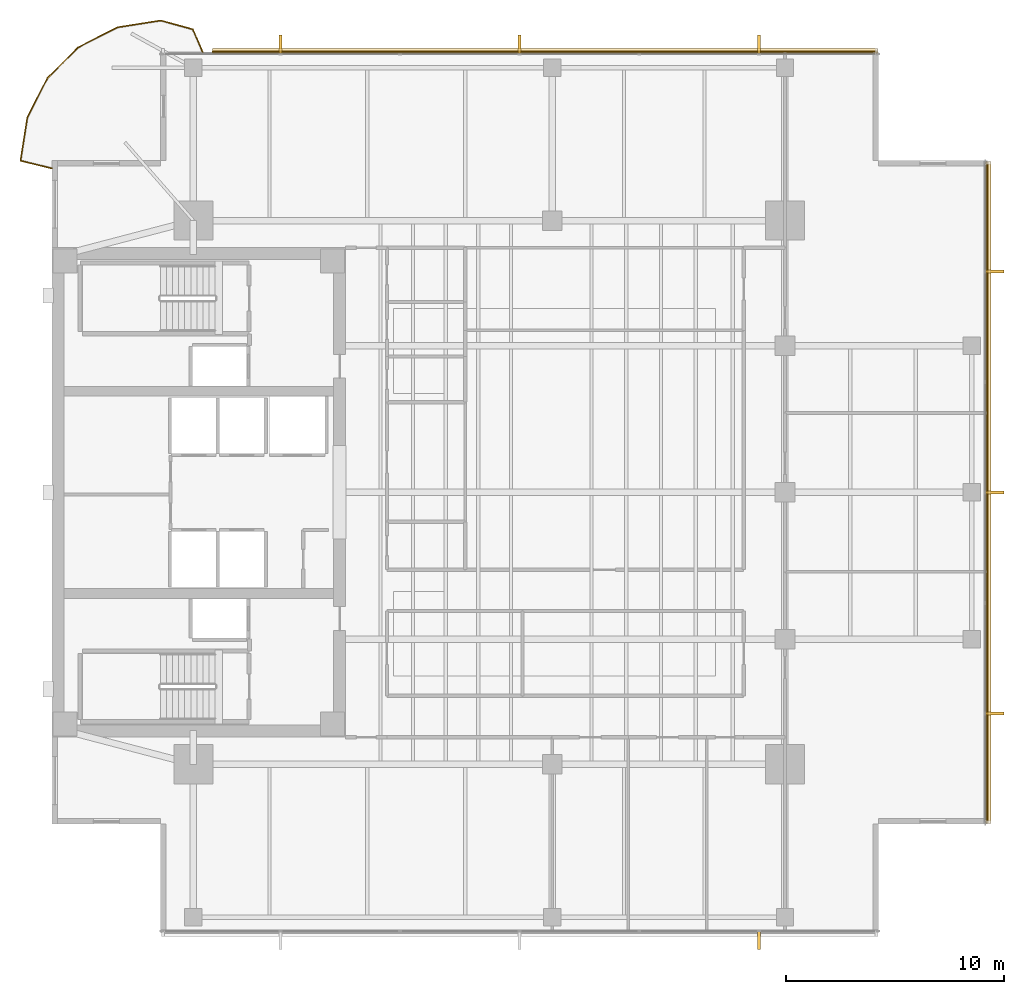
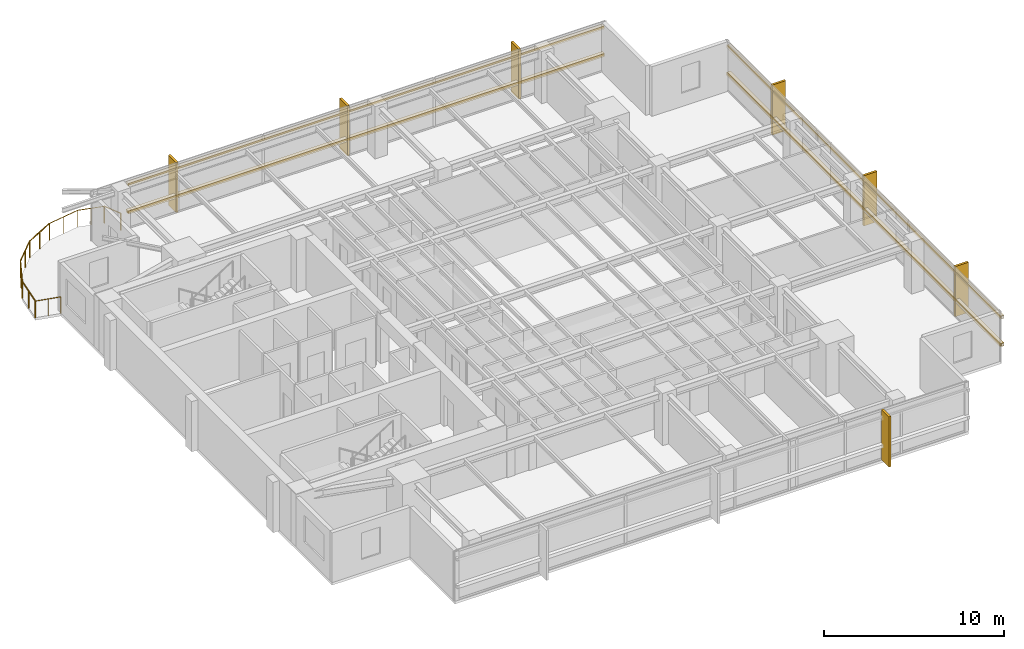
# One storey, part 14 of 14: 11 coverings, 8 railings, 4 shading devices.
"""IFC4 building model written with IfcOpenShell, lengths in metres."""

from ifc_helpers import new_model, si_unit, direction, frame, origin, origin_2d, place, context, subcontext, project, spatial, polyline, rectangle, circle, outline, extrude, material, layer, layer_set, material_profile, profile_set, type_object, element, save


model = new_model("IFC4")

# Units and contexts
model_context = context("Model", 3, precision=1e-05, world=origin(), true_north=direction((0.0, 1.0)))
body_context = subcontext(model_context, "Body", "Model", "MODEL_VIEW")
ifc_project = project(units=[si_unit("LENGTHUNIT", "METRE"), si_unit("AREAUNIT", "SQUARE_METRE"), si_unit("VOLUMEUNIT", "CUBIC_METRE"), si_unit("PLANEANGLEUNIT", "RADIAN"), si_unit("MASSUNIT", "GRAM", prefix="KILO")], contexts=[model_context])

# Site, building, storey
site_placement = place(None, origin())
site = spatial("IfcSite", under=ifc_project, at=site_placement, CompositionType="ELEMENT")
building_placement = place(site_placement, origin())
building = spatial("IfcBuilding", under=site, at=building_placement, Name="Kinhvarn Gate Tower", CompositionType="ELEMENT")
storey_placement = place(building_placement, frame((0.0, 0.0, 230.64990234375)))
storey = spatial("IfcBuildingStorey", under=building, at=storey_placement, Name="L61", CompositionType="ELEMENT", Elevation=230.64990234375)

# Coverings
ifc_material_1 = material(Name="Fired architectural terracotta", Category="masonry")
ifc_layer_1 = layer(ifc_material_1, 0.239990234375)
ifc_layer_set_1 = layer_set([ifc_layer_1], Name="Fired architectural terracotta")
covering_type_1 = type_object("IfcCoveringType", Name="COV-BAG-220", PredefinedType="CLADDING", material=ifc_layer_set_1)
for number, where, name in (
    (1, (0.0, 0.0, 0.940185546875), "Terracotta Horizontal Sunscreen Band TBG-220 (L61)"),
    (2, (0.0, 0.0, 2.81005859375), "Terracotta Horizontal Sunscreen Band TBG-220 (L61)"),
):
    element("IfcCovering", number, at=place(storey_placement, frame(where)), inside=storey, type_object=covering_type_1, Name=name, PredefinedType="CLADDING", context=body_context, shape_type="SweptSolid", body=[
        extrude(outline(polyline([(42.4599609375, 45.429931640625), (11.875, 45.429931640625), (11.875, 45.669921875), (42.4599609375, 45.669921875), (42.4599609375, 45.429931640625)])), origin(), (0.0, 0.0, 1.0), 0.219970703125),
    ])
for number, where, name in (
    (3, (0.0, 0.0, 0.940185546875), "Terracotta Horizontal Sunscreen Band TBG-220 (L61)"),
    (4, (0.0, 0.0, 2.81005859375), "Terracotta Horizontal Sunscreen Band TBG-220 (L61)"),
):
    element("IfcCovering", number, at=place(storey_placement, frame(where)), inside=storey, type_object=covering_type_1, Name=name, PredefinedType="CLADDING", context=body_context, shape_type="SweptSolid", body=[
        extrude(outline(polyline([(47.429931640625, 10.0400390625), (47.429931640625, 40.4599609375), (47.669921875, 40.4599609375), (47.669921875, 10.0400390625), (47.429931640625, 10.0400390625)])), origin(), (0.0, 0.0, 1.0), 0.219970703125),
    ])
ifc_layer_2 = layer(ifc_material_1, 0.139892578125)
ifc_layer_set_2 = layer_set([ifc_layer_2], Name="Fired architectural terracotta")
covering_type_2 = type_object("IfcCoveringType", Name="COV-FIN-850", PredefinedType="CLADDING", material=ifc_layer_set_2)
covering_1_placement = place(storey_placement, frame((0.0, 0.0, -0.02001953125)))
element("IfcCovering", 5, at=covering_1_placement, inside=storey, type_object=covering_type_2, Name="Vertical Terracotta Expressive Fin TFN-850 (L61)", PredefinedType="CLADDING", context=body_context, shape_type="SweptSolid", body=[
    extrude(outline(polyline([(36.929931640625, 5.080078125), (37.070068359375, 5.080078125), (37.070068359375, 4.22998046875), (36.929931640625, 4.22998046875), (36.929931640625, 5.080078125)])), origin(), (0.0, 0.0, 1.0), 3.41015625),
])
covering_2_placement = place(storey_placement, frame((0.0, 0.0, -0.02001953125)))
element("IfcCovering", 6, at=covering_2_placement, inside=storey, type_object=covering_type_2, Name="Vertical Terracotta Expressive Fin TFN-850 (L61)", PredefinedType="CLADDING", context=body_context, shape_type="SweptSolid", body=[
    extrude(outline(polyline([(37.070068359375, 45.419921875), (36.929931640625, 45.419921875), (36.929931640625, 46.27001953125), (37.070068359375, 46.27001953125), (37.070068359375, 45.419921875)])), origin(), (0.0, 0.0, 1.0), 3.41015625),
])
covering_3_placement = place(storey_placement, frame((0.0, 0.0, -0.02001953125)))
element("IfcCovering", 7, at=covering_3_placement, inside=storey, type_object=covering_type_2, Name="Vertical Terracotta Expressive Fin TFN-850 (L61)", PredefinedType="CLADDING", context=body_context, shape_type="SweptSolid", body=[
    extrude(outline(polyline([(26.070068359375, 45.419921875), (25.929931640625, 45.419921875), (25.929931640625, 46.27001953125), (26.070068359375, 46.27001953125), (26.070068359375, 45.419921875)])), origin(), (0.0, 0.0, 1.0), 3.41015625),
])
covering_4_placement = place(storey_placement, frame((0.0, 0.0, -0.02001953125)))
element("IfcCovering", 8, at=covering_4_placement, inside=storey, type_object=covering_type_2, Name="Vertical Terracotta Expressive Fin TFN-850 (L61)", PredefinedType="CLADDING", context=body_context, shape_type="SweptSolid", body=[
    extrude(outline(polyline([(15.070068359375, 45.419921875), (14.929931640625, 45.419921875), (14.929931640625, 46.27001953125), (15.070068359375, 46.27001953125), (15.070068359375, 45.419921875)])), origin(), (0.0, 0.0, 1.0), 3.41015625),
])
covering_5_placement = place(storey_placement, frame((0.0, 0.0, -0.02001953125)))
element("IfcCovering", 9, at=covering_5_placement, inside=storey, type_object=covering_type_2, Name="Vertical Terracotta Expressive Fin TFN-850 (L61)", PredefinedType="CLADDING", context=body_context, shape_type="SweptSolid", body=[
    extrude(outline(polyline([(47.419921875, 15.01318359375), (47.419921875, 15.1533203125), (48.27001953125, 15.1533203125), (48.27001953125, 15.01318359375), (47.419921875, 15.01318359375)])), origin(), (0.0, 0.0, 1.0), 3.41015625),
])
covering_6_placement = place(storey_placement, frame((0.0, 0.0, -0.02001953125)))
element("IfcCovering", 10, at=covering_6_placement, inside=storey, type_object=covering_type_2, Name="Vertical Terracotta Expressive Fin TFN-850 (L61)", PredefinedType="CLADDING", context=body_context, shape_type="SweptSolid", body=[
    extrude(outline(polyline([(47.419921875, 25.179931640625), (47.419921875, 25.320068359375), (48.27001953125, 25.320068359375), (48.27001953125, 25.179931640625), (47.419921875, 25.179931640625)])), origin(), (0.0, 0.0, 1.0), 3.41015625),
])
covering_7_placement = place(storey_placement, frame((0.0, 0.0, -0.02001953125)))
element("IfcCovering", 11, at=covering_7_placement, inside=storey, type_object=covering_type_2, Name="Vertical Terracotta Expressive Fin TFN-850 (L61)", PredefinedType="CLADDING", context=body_context, shape_type="SweptSolid", body=[
    extrude(outline(polyline([(47.419921875, 35.3466796875), (47.419921875, 35.48681640625), (48.27001953125, 35.48681640625), (48.27001953125, 35.3466796875), (47.419921875, 35.3466796875)])), origin(), (0.0, 0.0, 1.0), 3.41015625),
])

# Railings
ifc_material_2 = material(Name="Clear low-e double glazing", Category="glass")
railing_type = type_object("IfcRailingType", Name="RL-BAL-1150", PredefinedType="BALUSTRADE", material=ifc_material_2)
railing_1_placement = place(storey_placement, frame((11.425048828125, 45.5, 0.0)))
element("IfcRailing", 12, at=railing_1_placement, inside=storey, type_object=railing_type, Name="S-Carve Balcony Guardrail Seg 1 (L61)", PredefinedType="BALUSTRADE", context=body_context, shape_type="SweptSolid", body=[
    extrude(circle(Radius=0.02392578125, at=origin_2d()), frame((0.0, 0.0, 1.1259765625), z_axis=(-0.396514317933, 0.918028537505, 0.0), x_axis=(-0.918028537505, -0.396514317933, 0.0)), (0.0, 0.0, 1.0), 1.134765625),
    extrude(circle(Radius=0.02099609375, at=origin_2d()), origin(), (0.0, 0.0, 1.0), 1.101806640625),
    extrude(circle(Radius=0.02099609375, at=origin_2d()), frame((-0.449951171875, 1.041748046875, 0.0)), (0.0, 0.0, 1.0), 1.101806640625),
])
railing_2_placement = place(storey_placement, frame((10.97509765625, 46.541748046875, 0.0)))
element("IfcRailing", 13, at=railing_2_placement, inside=storey, type_object=railing_type, Name="S-Carve Balcony Guardrail Seg 2 (L61)", PredefinedType="BALUSTRADE", context=body_context, shape_type="SweptSolid", body=[
    extrude(circle(Radius=0.02392578125, at=origin_2d()), frame((0.0, 0.0, 1.1259765625), z_axis=(-0.964268609593, 0.264926496512, 0.0), x_axis=(-0.264926496512, -0.964268609593, 0.0)), (0.0, 0.0, 1.0), 1.52978515625),
    extrude(circle(Radius=0.02099609375, at=origin_2d()), origin(), (0.0, 0.0, 1.0), 1.101806640625),
    extrude(circle(Radius=0.02099609375, at=origin_2d()), frame((-0.737548828125, 0.20263671875, 0.0)), (0.0, 0.0, 1.0), 1.101806640625),
    extrude(circle(Radius=0.02099609375, at=origin_2d()), frame((-1.47509765625, 0.4052734375, 0.0)), (0.0, 0.0, 1.0), 1.101806640625),
])
railing_3_placement = place(storey_placement, frame((9.5, 46.947021484375, 0.0)))
element("IfcRailing", 14, at=railing_3_placement, inside=storey, type_object=railing_type, Name="S-Carve Balcony Guardrail Seg 3 (L61)", PredefinedType="BALUSTRADE", context=body_context, shape_type="SweptSolid", body=[
    extrude(circle(Radius=0.02392578125, at=origin_2d()), frame((0.0, 0.0, 1.1259765625), z_axis=(-0.987696138675, -0.156385221957, 0.0), x_axis=(0.156385221957, -0.987696138675, 0.0)), (0.0, 0.0, 1.0), 2.01708984375),
    extrude(circle(Radius=0.02099609375, at=origin_2d()), origin(), (0.0, 0.0, 1.0), 1.101806640625),
    extrude(circle(Radius=0.02099609375, at=origin_2d()), frame((-0.99609375, -0.15771484375, 0.0)), (0.0, 0.0, 1.0), 1.101806640625),
    extrude(circle(Radius=0.02099609375, at=origin_2d()), frame((-1.9921875, -0.3154296875, 0.0)), (0.0, 0.0, 1.0), 1.101806640625),
])
railing_4_placement = place(storey_placement, frame((7.5078125, 46.631591796875, 0.0)))
element("IfcRailing", 15, at=railing_4_placement, inside=storey, type_object=railing_type, Name="S-Carve Balcony Guardrail Seg 4 (L61)", PredefinedType="BALUSTRADE", context=body_context, shape_type="SweptSolid", body=[
    extrude(circle(Radius=0.02392578125, at=origin_2d()), frame((0.0, 0.0, 1.1259765625), z_axis=(-0.891012710285, -0.453978358636, 0.0), x_axis=(0.453978358636, -0.891012710285, 0.0)), (0.0, 0.0, 1.0), 2.017333984375),
    extrude(circle(Radius=0.02099609375, at=origin_2d()), origin(), (0.0, 0.0, 1.0), 1.101806640625),
    extrude(circle(Radius=0.02099609375, at=origin_2d()), frame((-0.898681640625, -0.4580078125, 0.0)), (0.0, 0.0, 1.0), 1.101806640625),
    extrude(circle(Radius=0.02099609375, at=origin_2d()), frame((-1.79736328125, -0.915771484375, 0.0)), (0.0, 0.0, 1.0), 1.101806640625),
])
railing_5_placement = place(storey_placement, frame((5.71044921875, 45.7158203125, 0.0)))
element("IfcRailing", 16, at=railing_5_placement, inside=storey, type_object=railing_type, Name="S-Carve Balcony Guardrail Seg 5 (L61)", PredefinedType="BALUSTRADE", context=body_context, shape_type="SweptSolid", body=[
    extrude(circle(Radius=0.02392578125, at=origin_2d()), frame((0.0, 0.0, 1.1259765625), z_axis=(-0.707106781187, -0.707106781187, 0.0), x_axis=(0.707106781187, -0.707106781187, 0.0)), (0.0, 0.0, 1.0), 2.01708984375),
    extrude(circle(Radius=0.02099609375, at=origin_2d()), origin(), (0.0, 0.0, 1.0), 1.101806640625),
    extrude(circle(Radius=0.02099609375, at=origin_2d()), frame((-0.713134765625, -0.713134765625, 0.0)), (0.0, 0.0, 1.0), 1.101806640625),
    extrude(circle(Radius=0.02099609375, at=origin_2d()), frame((-1.42626953125, -1.42626953125, 0.0)), (0.0, 0.0, 1.0), 1.101806640625),
])
railing_6_placement = place(storey_placement, frame((4.2841796875, 44.28955078125, 0.0)))
element("IfcRailing", 17, at=railing_6_placement, inside=storey, type_object=railing_type, Name="S-Carve Balcony Guardrail Seg 6 (L61)", PredefinedType="BALUSTRADE", context=body_context, shape_type="SweptSolid", body=[
    extrude(circle(Radius=0.02392578125, at=origin_2d()), frame((0.0, 0.0, 1.1259765625), z_axis=(-0.453978358636, -0.891012710285, 0.0), x_axis=(0.891012710285, -0.453978358636, 0.0)), (0.0, 0.0, 1.0), 2.017333984375),
    extrude(circle(Radius=0.02099609375, at=origin_2d()), origin(), (0.0, 0.0, 1.0), 1.101806640625),
    extrude(circle(Radius=0.02099609375, at=origin_2d()), frame((-0.4580078125, -0.898681640625, 0.0)), (0.0, 0.0, 1.0), 1.101806640625),
    extrude(circle(Radius=0.02099609375, at=origin_2d()), frame((-0.915771484375, -1.79736328125, 0.0)), (0.0, 0.0, 1.0), 1.101806640625),
])
railing_7_placement = place(storey_placement, frame((3.368408203125, 42.4921875, 0.0)))
element("IfcRailing", 18, at=railing_7_placement, inside=storey, type_object=railing_type, Name="S-Carve Balcony Guardrail Seg 7 (L61)", PredefinedType="BALUSTRADE", context=body_context, shape_type="SweptSolid", body=[
    extrude(circle(Radius=0.02392578125, at=origin_2d()), frame((0.0, 0.0, 1.1259765625), z_axis=(-0.156385221957, -0.987696138675, 0.0), x_axis=(0.987696138675, -0.156385221957, 0.0)), (0.0, 0.0, 1.0), 2.01708984375),
    extrude(circle(Radius=0.02099609375, at=origin_2d()), origin(), (0.0, 0.0, 1.0), 1.101806640625),
    extrude(circle(Radius=0.02099609375, at=origin_2d()), frame((-0.15771484375, -0.99609375, 0.0)), (0.0, 0.0, 1.0), 1.101806640625),
    extrude(circle(Radius=0.02099609375, at=origin_2d()), frame((-0.3154296875, -1.9921875, 0.0)), (0.0, 0.0, 1.0), 1.101806640625),
])
railing_8_placement = place(storey_placement, frame((3.052978515625, 40.5, 0.0)))
element("IfcRailing", 19, at=railing_8_placement, inside=storey, type_object=railing_type, Name="S-Carve Balcony Guardrail Seg 8 (L61)", PredefinedType="BALUSTRADE", context=body_context, shape_type="SweptSolid", body=[
    extrude(circle(Radius=0.02392578125, at=origin_2d()), frame((0.0, 0.0, 1.1259765625), z_axis=(0.971656409112, -0.236397594388, 0.0), x_axis=(0.236397594388, 0.971656409112, 0.0)), (0.0, 0.0, 1.0), 1.4892578125),
    extrude(circle(Radius=0.02099609375, at=origin_2d()), origin(), (0.0, 0.0, 1.0), 1.101806640625),
    extrude(circle(Radius=0.02099609375, at=origin_2d()), frame((0.7236328125, -0.176025390625, 0.0)), (0.0, 0.0, 1.0), 1.101806640625),
    extrude(circle(Radius=0.02099609375, at=origin_2d()), frame((1.447021484375, -0.35205078125, 0.0)), (0.0, 0.0, 1.0), 1.101806640625),
])

# Shading devices
ifc_material_profile = material_profile(ifc_material_1, rectangle(XDim=0.050048828125, YDim=0.1201171875, at=origin_2d()), Name="TC 50x120")
ifc_profile_set = profile_set([ifc_material_profile], Name="Fired architectural terracotta")
shading_device_type = type_object("IfcShadingDeviceType", Name="SHD-BAG-140", PredefinedType="USERDEFINED", material=ifc_profile_set)
for number, where, z_axis, x_axis, name in (
    (20, (42.4599609375, 45.5, 1.050048828125), (-1.0, 0.0, 0.0), (0.0, -1.0, 0.0), "Upper Tower Terracotta Baguette Screen Rod 50x120 mm (L61)"),
    (21, (42.4599609375, 45.5, 2.920166015625), (-1.0, 0.0, 0.0), (0.0, -1.0, 0.0), "Upper Tower Terracotta Baguette Screen Rod 50x120 mm (L61)"),
):
    element("IfcShadingDevice", number, at=place(storey_placement, frame(where, z_axis=z_axis, x_axis=x_axis)), inside=storey, type_object=shading_device_type, Name=name, ObjectType="BAGUETTE", PredefinedType="USERDEFINED", context=body_context, shape_type="SweptSolid", body=[
        extrude(rectangle(XDim=0.050048828125, YDim=0.1201171875, at=origin_2d()), origin(), (0.0, 0.0, 1.0), 30.5849609375),
    ])
for number, where, z_axis, x_axis, name in (
    (22, (47.5, 10.0400390625, 1.050048828125), (0.0, 1.0, 0.0), (-1.0, 0.0, 0.0), "Upper Tower Terracotta Baguette Screen Rod 50x120 mm (L61)"),
    (23, (47.5, 10.0400390625, 2.920166015625), (0.0, 1.0, 0.0), (-1.0, 0.0, 0.0), "Upper Tower Terracotta Baguette Screen Rod 50x120 mm (L61)"),
):
    element("IfcShadingDevice", number, at=place(storey_placement, frame(where, z_axis=z_axis, x_axis=x_axis)), inside=storey, type_object=shading_device_type, Name=name, ObjectType="BAGUETTE", PredefinedType="USERDEFINED", context=body_context, shape_type="SweptSolid", body=[
        extrude(rectangle(XDim=0.050048828125, YDim=0.1201171875, at=origin_2d()), origin(), (0.0, 0.0, 1.0), 30.419921875),
    ])

save(model, "model.ifc")
